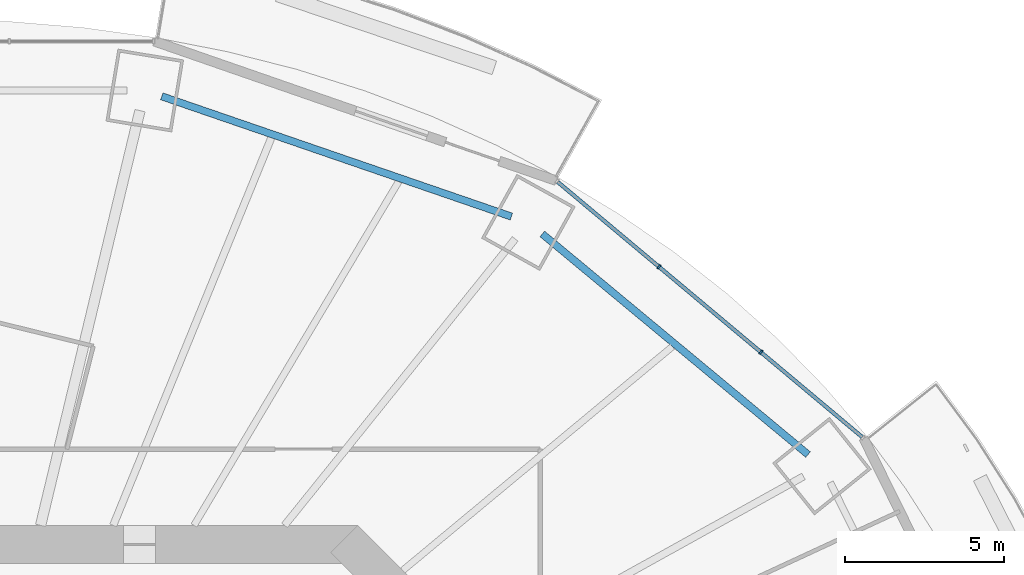
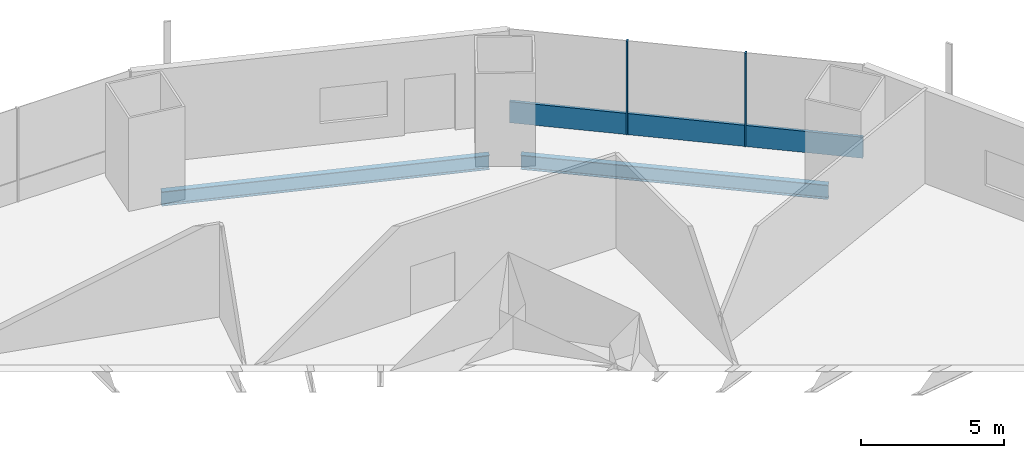
# One storey, part 10 of 22: 3 members, 2 beams, 1 element without a shape of its own.
"""IFC4 building model written with IfcOpenShell, lengths in metres."""

from ifc_helpers import new_model, si_unit, direction, frame, origin, origin_2d, place, context, subcontext, project, spatial, rectangle, i_section, extrude, material, material_profile, profile_set, type_object, element, aggregate, save


model = new_model("IFC4")

# Units and contexts
model_context = context("Model", 3, precision=1e-05, world=origin(), true_north=direction((0.0, 1.0)))
body_context = subcontext(model_context, "Body", "Model", "MODEL_VIEW")
ifc_project = project(units=[si_unit("LENGTHUNIT", "METRE"), si_unit("AREAUNIT", "SQUARE_METRE"), si_unit("VOLUMEUNIT", "CUBIC_METRE"), si_unit("PLANEANGLEUNIT", "RADIAN"), si_unit("MASSUNIT", "GRAM", prefix="KILO")], contexts=[model_context])

# Site, building, storey
site_placement = place(None, origin())
site = spatial("IfcSite", under=ifc_project, at=site_placement, CompositionType="ELEMENT")
building_placement = place(site_placement, origin())
building = spatial("IfcBuilding", under=site, at=building_placement, Name="Marenthal Gate Tower", CompositionType="ELEMENT")
storey_placement = place(building_placement, frame((0.0, 0.0, 86.949951171875)))
storey = spatial("IfcBuildingStorey", under=building, at=storey_placement, Name="L17", CompositionType="ELEMENT", Elevation=86.949951171875)

# Curtain wall, members
ifc_material_1 = material(Name="Aluminium and glass", Category="aluminium")
curtain_wall_type = type_object("IfcCurtainWallType", Name="Curtain wall typical low", PredefinedType="NOTDEFINED", material=ifc_material_1)
curtain_wall_placement = place(storey_placement, origin())
curtain_wall = element("IfcCurtainWall", 1, at=curtain_wall_placement, inside=storey, type_object=curtain_wall_type, Name="Curtain wall L17 bay 2", PredefinedType="NOTDEFINED")
ifc_material_2 = material(Name="Aluminium", Category="aluminium")
ifc_material_profile_1 = material_profile(ifc_material_2, rectangle(XDim=0.159912109375, YDim=0.06005859375, at=origin_2d()), Name="60x160 aluminium mullion")
ifc_profile_set_1 = profile_set([ifc_material_profile_1], Name="Aluminium")
member_type_1 = type_object("IfcMemberType", Name="Mullion 60x160 typical low", PredefinedType="MULLION", material=ifc_profile_set_1)
member_1_placement = place(storey_placement, frame((25.95703125, 19.0556640625, 0.0), z_axis=(0.0, 0.0, 1.0), x_axis=(-0.642228281301, -0.766513427604, 0.0)))
member_1 = element("IfcMember", 2, at=member_1_placement, type_object=member_type_1, Name="Mullion L17 bay 2.2", PredefinedType="MULLION", context=body_context, shape_type="SweptSolid", body=[
    extrude(rectangle(XDim=0.159912109375, YDim=0.06005859375, at=origin_2d()), origin(), (0.0, 0.0, 1.0), 3.969970703125),
])
member_2_placement = place(storey_placement, frame((22.743408203125, 21.748291015625, 0.0), z_axis=(0.0, 0.0, 1.0), x_axis=(-0.642228281301, -0.766513427604, 0.0)))
member_2 = element("IfcMember", 3, at=member_2_placement, type_object=member_type_1, Name="Mullion L17 bay 2.3", PredefinedType="MULLION", context=body_context, shape_type="SweptSolid", body=[
    extrude(rectangle(XDim=0.159912109375, YDim=0.06005859375, at=origin_2d()), origin(), (0.0, 0.0, 1.0), 3.969970703125),
])
ifc_material_3 = material(Name="Aluminium", Category="aluminium")
ifc_material_profile_2 = material_profile(ifc_material_3, rectangle(XDim=0.1201171875, YDim=0.89990234375, at=origin_2d()), Name="120x900 aluminium transom")
ifc_profile_set_2 = profile_set([ifc_material_profile_2], Name="Aluminium")
member_type_2 = type_object("IfcMemberType", Name="Transom 120x900 typical low", PredefinedType="USERDEFINED", material=ifc_profile_set_2)
member_3_placement = place(storey_placement, frame((29.147705078125, 16.38232421875, 0.449951171875), z_axis=(-0.766517626831, 0.642223269399, 0.0), x_axis=(-0.642223269399, -0.766517626831, 0.0)))
member_3 = element("IfcMember", 4, at=member_3_placement, type_object=member_type_2, Name="Transom L17 bay 2", ObjectType="TRANSOM", PredefinedType="USERDEFINED", context=body_context, shape_type="SweptSolid", body=[
    extrude(rectangle(XDim=0.1201171875, YDim=0.89990234375, at=origin_2d()), origin(), (0.0, 0.0, 1.0), 12.517822265625),
])
aggregate(curtain_wall, [member_1, member_2, member_3])

# Beams
ifc_material_4 = material(Name="Steel S355", Category="steel")
ifc_material_profile_3 = material_profile(ifc_material_4, i_section(OverallWidth=0.22900390625, OverallDepth=0.612060546875, WebThickness=0.011962890625, FlangeThickness=0.01953125, FilletRadius=0.0126953125, at=origin_2d()), Name="W610X125")
ifc_profile_set_3 = profile_set([ifc_material_profile_3], Name="Steel S355")
beam_type = type_object("IfcBeamType", Name="W610X125 beam", PredefinedType="BEAM", material=ifc_profile_set_3)
beam_1_placement = place(storey_placement, frame((27.4404296875, 15.8310546875, -0.48583984375), z_axis=(-0.769402188258, 0.638764645784, 0.0), x_axis=(-0.638764645784, -0.769402188258, 0.0)))
element("IfcBeam", 5, at=beam_1_placement, inside=storey, type_object=beam_type, Name="BM-L17-42", PredefinedType="BEAM", context=body_context, shape_type="SweptSolid", body=[
    extrude(i_section(OverallWidth=0.22900390625, OverallDepth=0.612060546875, WebThickness=0.011962890625, FlangeThickness=0.01953125, FilletRadius=0.0126953125, at=origin_2d()), origin(), (0.0, 0.0, 1.0), 10.884033203125),
])
beam_2_placement = place(storey_placement, frame((18.09326171875, 23.330810546875, -0.48583984375), z_axis=(-0.945652773526, 0.32517815413, 0.0), x_axis=(-0.32517815413, -0.945652773526, 0.0)))
element("IfcBeam", 6, at=beam_2_placement, inside=storey, type_object=beam_type, Name="BM-L17-43", PredefinedType="BEAM", context=body_context, shape_type="SweptSolid", body=[
    extrude(i_section(OverallWidth=0.22900390625, OverallDepth=0.612060546875, WebThickness=0.011962890625, FlangeThickness=0.01953125, FilletRadius=0.0126953125, at=origin_2d()), origin(), (0.0, 0.0, 1.0), 11.65087890625),
])

save(model, "model.ifc")
